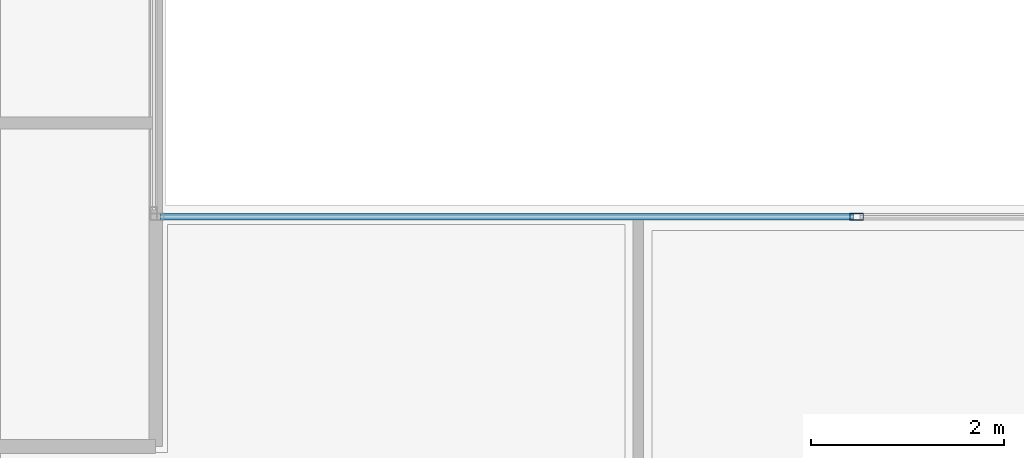
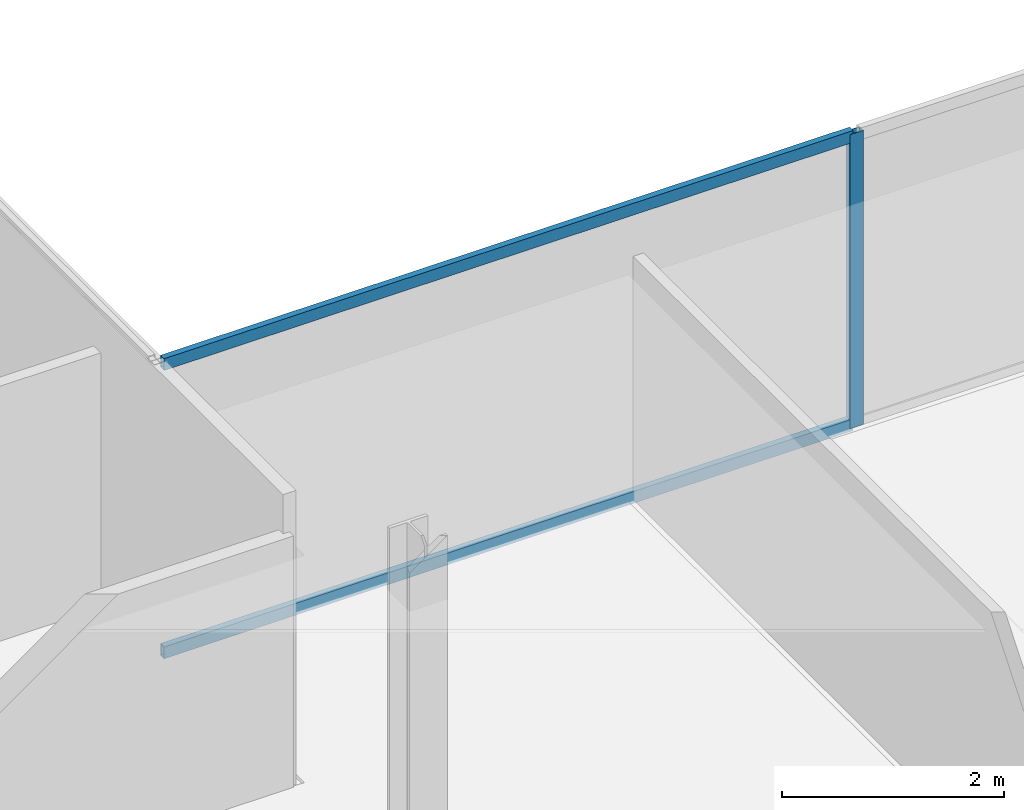
# One storey, part 9 of 24: 3 members, 1 element without a shape of its own.
"""IFC4 building model written with IfcOpenShell, lengths in metres."""

from ifc_helpers import new_model, si_unit, direction, frame, origin, origin_2d, place, context, subcontext, project, spatial, hollow_rectangle, extrude, material, material_profile, profile_set, type_object, element, aggregate, save


model = new_model("IFC4")

# Units and contexts
model_context = context("Model", 3, precision=1e-05, world=origin(), true_north=direction((0.0, 1.0)))
body_context = subcontext(model_context, "Body", "Model", "MODEL_VIEW")
ifc_project = project(units=[si_unit("LENGTHUNIT", "METRE"), si_unit("AREAUNIT", "SQUARE_METRE"), si_unit("VOLUMEUNIT", "CUBIC_METRE"), si_unit("PLANEANGLEUNIT", "RADIAN"), si_unit("MASSUNIT", "GRAM", prefix="KILO")], contexts=[model_context])

# Site, building, storey
site_placement = place(None, origin())
site = spatial("IfcSite", under=ifc_project, at=site_placement, CompositionType="ELEMENT")
building_placement = place(site_placement, origin())
building = spatial("IfcBuilding", under=site, at=building_placement, Name="Cobrela Telecom Tower", CompositionType="ELEMENT")
storey_placement = place(building_placement, frame((0.0, 0.0, 241.14990234375)))
storey = spatial("IfcBuildingStorey", under=building, at=storey_placement, Name="L62", CompositionType="ELEMENT", Elevation=241.14990234375)

# Curtain wall, members
ifc_material = material(Name="Anodized Bronze Aluminium 6063-T6", Category="aluminium")
curtain_wall_type = type_object("IfcCurtainWallType", Name="CW-SYS-OFF-HI", PredefinedType="USERDEFINED", material=ifc_material)
curtain_wall_placement = place(storey_placement, origin())
curtain_wall = element("IfcCurtainWall", 1, at=curtain_wall_placement, inside=storey, type_object=curtain_wall_type, Name="L62 Unitised Bronze Curtain Wall 09", ObjectType="UNITISED CURTAIN WALL", PredefinedType="USERDEFINED")
ifc_material_profile_1 = material_profile(ifc_material, hollow_rectangle(XDim=0.070068359375, YDim=0.139892578125, WallThickness=0.00390625, at=origin_2d()), Name="ALU 70x140x4")
ifc_profile_set_1 = profile_set([ifc_material_profile_1], Name="Anodized Bronze Aluminium 6063-T6")
member_type_1 = type_object("IfcMemberType", Name="CW-SYS-OFF-HI-MUL", PredefinedType="MULLION", material=ifc_profile_set_1)
member_1_placement = place(storey_placement, frame((28.163330078125, 25.080078125, 0.0), z_axis=(0.0, 0.0, 1.0), x_axis=(0.0, 1.0, 0.0)))
member_1 = element("IfcMember", 2, at=member_1_placement, type_object=member_type_1, Name="CW-OFF-HI mullion 2", PredefinedType="MULLION", context=body_context, shape_type="SweptSolid", body=[
    extrude(hollow_rectangle(XDim=0.070068359375, YDim=0.139892578125, WallThickness=0.00390625, at=origin_2d()), origin(), (0.0, 0.0, 1.0), 3.239990234375),
])
ifc_material_profile_2 = material_profile(ifc_material, hollow_rectangle(XDim=0.06494140625, YDim=0.1298828125, WallThickness=0.00390625, at=origin_2d()), Name="ALU 65x130x4")
ifc_profile_set_2 = profile_set([ifc_material_profile_2], Name="Anodized Bronze Aluminium 6063-T6")
member_type_2 = type_object("IfcMemberType", Name="CW-SYS-OFF-HI-TRN", PredefinedType="USERDEFINED", material=ifc_profile_set_2)
member_2_placement = place(storey_placement, frame((20.949951171875, 25.080078125, 0.03271484375), z_axis=(1.0, 0.0, 0.0), x_axis=(0.0, 1.0, 0.0)))
member_2 = element("IfcMember", 3, at=member_2_placement, type_object=member_type_2, Name="CW-OFF-HI transom 1.1", ObjectType="TRANSOM", PredefinedType="USERDEFINED", context=body_context, shape_type="SweptSolid", body=[
    extrude(hollow_rectangle(XDim=0.06494140625, YDim=0.1298828125, WallThickness=0.00390625, at=origin_2d()), origin(), (0.0, 0.0, 1.0), 7.178466796875),
])
member_3_placement = place(storey_placement, frame((20.949951171875, 25.080078125, 3.20751953125), z_axis=(1.0, 0.0, 0.0), x_axis=(0.0, 1.0, 0.0)))
member_3 = element("IfcMember", 4, at=member_3_placement, type_object=member_type_2, Name="CW-OFF-HI transom 1.2", ObjectType="TRANSOM", PredefinedType="USERDEFINED", context=body_context, shape_type="SweptSolid", body=[
    extrude(hollow_rectangle(XDim=0.06494140625, YDim=0.1298828125, WallThickness=0.00390625, at=origin_2d()), origin(), (0.0, 0.0, 1.0), 7.178466796875),
])
aggregate(curtain_wall, [member_1, member_2, member_3])

save(model, "model.ifc")
